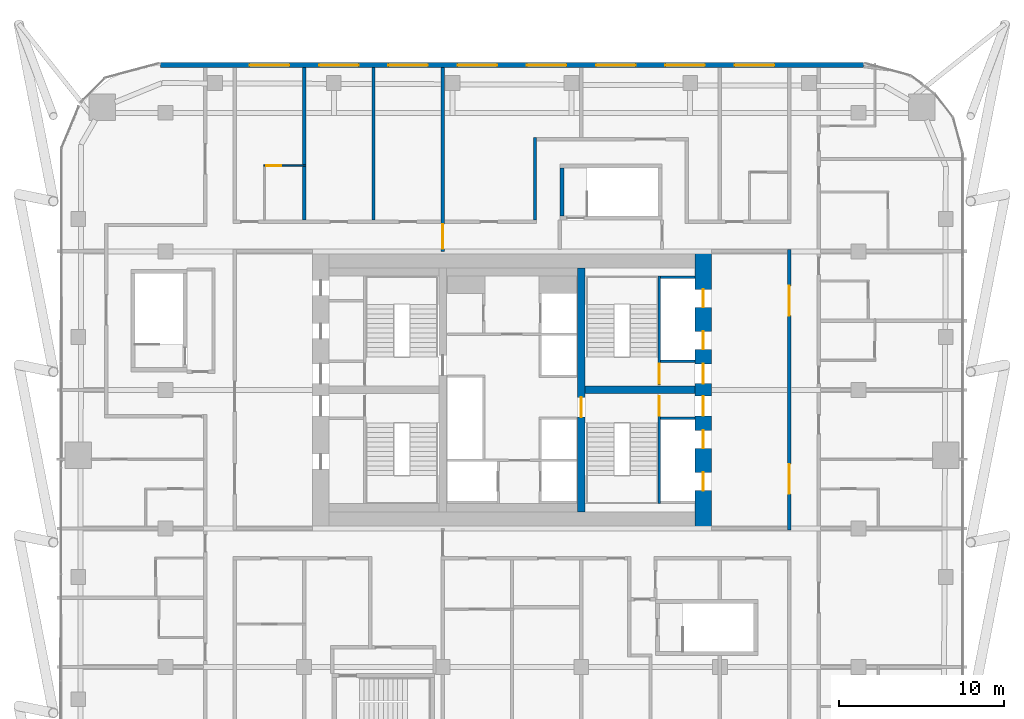
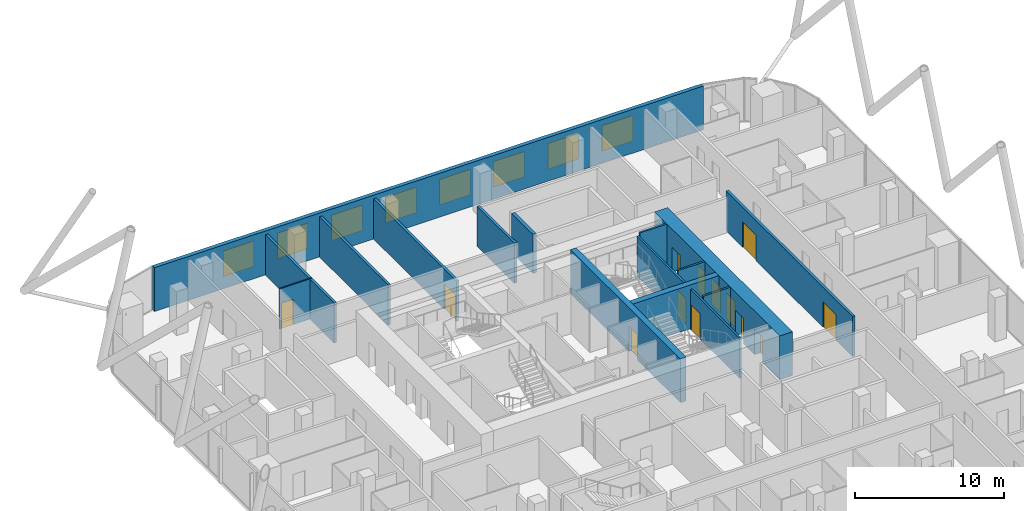
# One storey, part 31 of 34: 16 walls, 13 doors, 8 windows, 21 openings.
"""IFC4 building model written with IfcOpenShell, lengths in metres."""

from ifc_helpers import new_model, si_unit, direction, frame, frame_2d, origin, place, context, subcontext, project, spatial, rectangle, extrude, material, layer, layer_set, type_object, element, fill, save


model = new_model("IFC4")

# Units and contexts
model_context = context("Model", 3, precision=1e-05, world=origin(), true_north=direction((0.0, 1.0)))
body_context = subcontext(model_context, "Body", "Model", "MODEL_VIEW")
ifc_project = project(units=[si_unit("LENGTHUNIT", "METRE"), si_unit("AREAUNIT", "SQUARE_METRE"), si_unit("VOLUMEUNIT", "CUBIC_METRE"), si_unit("PLANEANGLEUNIT", "RADIAN"), si_unit("MASSUNIT", "GRAM", prefix="KILO")], contexts=[model_context])

# Site, building, storey
site_placement = place(None, origin())
site = spatial("IfcSite", under=ifc_project, at=site_placement, CompositionType="ELEMENT")
building_placement = place(site_placement, origin())
building = spatial("IfcBuilding", under=site, at=building_placement, Name="Marenta Gate Hotel Tower", CompositionType="ELEMENT")
storey_placement = place(building_placement, frame((0.0, 0.0, 166.10009765625)))
storey = spatial("IfcBuildingStorey", under=building, at=storey_placement, Name="L39", CompositionType="ELEMENT", Elevation=166.10009765625)

# Wall, openings, windows
ifc_material_1 = material(Name="Concrete C40 board-marked", Category="concrete")
ifc_layer_1 = layer(ifc_material_1, 0.300048828125)
ifc_layer_set_1 = layer_set([ifc_layer_1], Name="Concrete C40 board-marked")
wall_type_1 = type_object("IfcWallType", Name="Board-marked concrete wall 300 mm", PredefinedType="NOTDEFINED", material=ifc_layer_set_1)
wall_1_placement = place(storey_placement, frame((21.305908203125, 28.090087890625, 0.0), z_axis=(0.0, 0.0, 1.0), x_axis=(-1.0, 0.0, 0.0)))
wall_1 = element("IfcWall", 1, at=wall_1_placement, inside=storey, type_object=wall_type_1, Name="L39-CLD-N00", PredefinedType="NOTDEFINED", context=body_context, shape_type="SweptSolid", body=[
    extrude(rectangle(XDim=42.61181640625, YDim=0.300048828125, at=frame_2d((21.305908203125, 0.0))), origin(), (0.0, 0.0, 1.0), 3.599853515625),
])
opening_1_placement = place(wall_1_placement, frame((5.406005859375, 0.0, 0.89990234375)))
opening_1 = element("IfcOpeningElement", 2, at=opening_1_placement, cuts=wall_1, Name="Opening W1", PredefinedType="OPENING", context=body_context, shape_type="SweptSolid", body=[
    extrude(rectangle(XDim=2.39990234375, YDim=2.10009765625, at=frame_2d((1.199951171875, 1.050048828125))), frame((0.0, 0.14990234375, 0.0), z_axis=(0.0, -1.0, 0.0), x_axis=(1.0, 0.0, 0.0)), (0.0, 0.0, 1.0), 0.300048828125),
])
opening_2_placement = place(wall_1_placement, frame((9.60595703125, 0.0, 0.89990234375)))
opening_2 = element("IfcOpeningElement", 3, at=opening_2_placement, cuts=wall_1, Name="Opening W1", PredefinedType="OPENING", context=body_context, shape_type="SweptSolid", body=[
    extrude(rectangle(XDim=2.39990234375, YDim=2.10009765625, at=frame_2d((1.199951171875, 1.050048828125))), frame((0.0, 0.14990234375, 0.0), z_axis=(0.0, -1.0, 0.0), x_axis=(1.0, 0.0, 0.0)), (0.0, 0.0, 1.0), 0.300048828125),
])
opening_3_placement = place(wall_1_placement, frame((13.805908203125, 0.0, 0.89990234375)))
opening_3 = element("IfcOpeningElement", 4, at=opening_3_placement, cuts=wall_1, Name="Opening W1", PredefinedType="OPENING", context=body_context, shape_type="SweptSolid", body=[
    extrude(rectangle(XDim=2.39990234375, YDim=2.10009765625, at=frame_2d((1.199951171875, 1.050048828125))), frame((0.0, 0.14990234375, 0.0), z_axis=(0.0, -1.0, 0.0), x_axis=(1.0, 0.0, 0.0)), (0.0, 0.0, 1.0), 0.300048828125),
])
opening_4_placement = place(wall_1_placement, frame((18.005859375, 0.0, 0.89990234375)))
opening_4 = element("IfcOpeningElement", 5, at=opening_4_placement, cuts=wall_1, Name="Opening W1", PredefinedType="OPENING", context=body_context, shape_type="SweptSolid", body=[
    extrude(rectangle(XDim=2.39990234375, YDim=2.10009765625, at=frame_2d((1.199951171875, 1.050048828125))), frame((0.0, 0.14990234375, 0.0), z_axis=(0.0, -1.0, 0.0), x_axis=(1.0, 0.0, 0.0)), (0.0, 0.0, 1.0), 0.300048828125),
])
opening_5_placement = place(wall_1_placement, frame((22.205810546875, 0.0, 0.89990234375)))
opening_5 = element("IfcOpeningElement", 6, at=opening_5_placement, cuts=wall_1, Name="Opening W1", PredefinedType="OPENING", context=body_context, shape_type="SweptSolid", body=[
    extrude(rectangle(XDim=2.39990234375, YDim=2.10009765625, at=frame_2d((1.199951171875, 1.050048828125))), frame((0.0, 0.14990234375, 0.0), z_axis=(0.0, -1.0, 0.0), x_axis=(1.0, 0.0, 0.0)), (0.0, 0.0, 1.0), 0.300048828125),
])
opening_6_placement = place(wall_1_placement, frame((26.406005859375, 0.0, 0.89990234375)))
opening_6 = element("IfcOpeningElement", 7, at=opening_6_placement, cuts=wall_1, Name="Opening W1", PredefinedType="OPENING", context=body_context, shape_type="SweptSolid", body=[
    extrude(rectangle(XDim=2.39990234375, YDim=2.10009765625, at=frame_2d((1.199951171875, 1.050048828125))), frame((0.0, 0.14990234375, 0.0), z_axis=(0.0, -1.0, 0.0), x_axis=(1.0, 0.0, 0.0)), (0.0, 0.0, 1.0), 0.300048828125),
])
opening_7_placement = place(wall_1_placement, frame((30.60595703125, 0.0, 0.89990234375)))
opening_7 = element("IfcOpeningElement", 8, at=opening_7_placement, cuts=wall_1, Name="Opening W1", PredefinedType="OPENING", context=body_context, shape_type="SweptSolid", body=[
    extrude(rectangle(XDim=2.39990234375, YDim=2.10009765625, at=frame_2d((1.199951171875, 1.050048828125))), frame((0.0, 0.14990234375, 0.0), z_axis=(0.0, -1.0, 0.0), x_axis=(1.0, 0.0, 0.0)), (0.0, 0.0, 1.0), 0.300048828125),
])
opening_8_placement = place(wall_1_placement, frame((34.805908203125, 0.0, 0.89990234375)))
opening_8 = element("IfcOpeningElement", 9, at=opening_8_placement, cuts=wall_1, Name="Opening W1", PredefinedType="OPENING", context=body_context, shape_type="SweptSolid", body=[
    extrude(rectangle(XDim=2.39990234375, YDim=2.10009765625, at=frame_2d((1.199951171875, 1.050048828125))), frame((0.0, 0.14990234375, 0.0), z_axis=(0.0, -1.0, 0.0), x_axis=(1.0, 0.0, 0.0)), (0.0, 0.0, 1.0), 0.300048828125),
])
ifc_material_2 = material(Name="Tinted insulated glass in bronze anodised frame", Category="glass")
window_type = type_object("IfcWindowType", Name="Window W1 2400x2100 bronze frame", PartitioningType="SINGLE_PANEL", PredefinedType="WINDOW", material=ifc_material_2)
window_1_placement = place(opening_1_placement, origin())
window_1 = element("IfcWindow", 10, at=window_1_placement, inside=storey, type_object=window_type, Name="Window W1", OverallHeight=2.10009765625, OverallWidth=2.39990234375, PartitioningType="SINGLE_PANEL", PredefinedType="WINDOW", context=body_context, shape_type="SweptSolid", body=[
    extrude(rectangle(XDim=2.39990234375, YDim=2.10009765625, at=frame_2d((1.199951171875, 1.050048828125))), frame((0.0, 0.030029296875, 0.0), z_axis=(0.0, -1.0, 0.0), x_axis=(1.0, 0.0, 0.0)), (0.0, 0.0, 1.0), 0.06005859375),
])
fill(opening_1, window_1)
window_2_placement = place(opening_2_placement, origin())
window_2 = element("IfcWindow", 11, at=window_2_placement, inside=storey, type_object=window_type, Name="Window W1", OverallHeight=2.10009765625, OverallWidth=2.39990234375, PartitioningType="SINGLE_PANEL", PredefinedType="WINDOW", context=body_context, shape_type="SweptSolid", body=[
    extrude(rectangle(XDim=2.39990234375, YDim=2.10009765625, at=frame_2d((1.199951171875, 1.050048828125))), frame((0.0, 0.030029296875, 0.0), z_axis=(0.0, -1.0, 0.0), x_axis=(1.0, 0.0, 0.0)), (0.0, 0.0, 1.0), 0.06005859375),
])
fill(opening_2, window_2)
window_3_placement = place(opening_3_placement, origin())
window_3 = element("IfcWindow", 12, at=window_3_placement, inside=storey, type_object=window_type, Name="Window W1", OverallHeight=2.10009765625, OverallWidth=2.39990234375, PartitioningType="SINGLE_PANEL", PredefinedType="WINDOW", context=body_context, shape_type="SweptSolid", body=[
    extrude(rectangle(XDim=2.39990234375, YDim=2.10009765625, at=frame_2d((1.199951171875, 1.050048828125))), frame((0.0, 0.030029296875, 0.0), z_axis=(0.0, -1.0, 0.0), x_axis=(1.0, 0.0, 0.0)), (0.0, 0.0, 1.0), 0.06005859375),
])
fill(opening_3, window_3)
window_4_placement = place(opening_4_placement, origin())
window_4 = element("IfcWindow", 13, at=window_4_placement, inside=storey, type_object=window_type, Name="Window W1", OverallHeight=2.10009765625, OverallWidth=2.39990234375, PartitioningType="SINGLE_PANEL", PredefinedType="WINDOW", context=body_context, shape_type="SweptSolid", body=[
    extrude(rectangle(XDim=2.39990234375, YDim=2.10009765625, at=frame_2d((1.199951171875, 1.050048828125))), frame((0.0, 0.030029296875, 0.0), z_axis=(0.0, -1.0, 0.0), x_axis=(1.0, 0.0, 0.0)), (0.0, 0.0, 1.0), 0.06005859375),
])
fill(opening_4, window_4)
window_5_placement = place(opening_5_placement, origin())
window_5 = element("IfcWindow", 14, at=window_5_placement, inside=storey, type_object=window_type, Name="Window W1", OverallHeight=2.10009765625, OverallWidth=2.39990234375, PartitioningType="SINGLE_PANEL", PredefinedType="WINDOW", context=body_context, shape_type="SweptSolid", body=[
    extrude(rectangle(XDim=2.39990234375, YDim=2.10009765625, at=frame_2d((1.199951171875, 1.050048828125))), frame((0.0, 0.030029296875, 0.0), z_axis=(0.0, -1.0, 0.0), x_axis=(1.0, 0.0, 0.0)), (0.0, 0.0, 1.0), 0.06005859375),
])
fill(opening_5, window_5)
window_6_placement = place(opening_6_placement, origin())
window_6 = element("IfcWindow", 15, at=window_6_placement, inside=storey, type_object=window_type, Name="Window W1", OverallHeight=2.10009765625, OverallWidth=2.39990234375, PartitioningType="SINGLE_PANEL", PredefinedType="WINDOW", context=body_context, shape_type="SweptSolid", body=[
    extrude(rectangle(XDim=2.39990234375, YDim=2.10009765625, at=frame_2d((1.199951171875, 1.050048828125))), frame((0.0, 0.030029296875, 0.0), z_axis=(0.0, -1.0, 0.0), x_axis=(1.0, 0.0, 0.0)), (0.0, 0.0, 1.0), 0.06005859375),
])
fill(opening_6, window_6)
window_7_placement = place(opening_7_placement, origin())
window_7 = element("IfcWindow", 16, at=window_7_placement, inside=storey, type_object=window_type, Name="Window W1", OverallHeight=2.10009765625, OverallWidth=2.39990234375, PartitioningType="SINGLE_PANEL", PredefinedType="WINDOW", context=body_context, shape_type="SweptSolid", body=[
    extrude(rectangle(XDim=2.39990234375, YDim=2.10009765625, at=frame_2d((1.199951171875, 1.050048828125))), frame((0.0, 0.030029296875, 0.0), z_axis=(0.0, -1.0, 0.0), x_axis=(1.0, 0.0, 0.0)), (0.0, 0.0, 1.0), 0.06005859375),
])
fill(opening_7, window_7)
window_8_placement = place(opening_8_placement, origin())
window_8 = element("IfcWindow", 17, at=window_8_placement, inside=storey, type_object=window_type, Name="Window W1", OverallHeight=2.10009765625, OverallWidth=2.39990234375, PartitioningType="SINGLE_PANEL", PredefinedType="WINDOW", context=body_context, shape_type="SweptSolid", body=[
    extrude(rectangle(XDim=2.39990234375, YDim=2.10009765625, at=frame_2d((1.199951171875, 1.050048828125))), frame((0.0, 0.030029296875, 0.0), z_axis=(0.0, -1.0, 0.0), x_axis=(1.0, 0.0, 0.0)), (0.0, 0.0, 1.0), 0.06005859375),
])
fill(opening_8, window_8)

# Wall, opening, door
ifc_material_3 = material(Name="Concrete blockwork", Category="masonry")
ifc_layer_2 = layer(ifc_material_3, 0.199951171875)
ifc_layer_set_2 = layer_set([ifc_layer_2], Name="Concrete blockwork")
wall_type_2 = type_object("IfcWallType", Name="Compartment wall 200 REI 180", PredefinedType="PARTITIONING", material=ifc_layer_set_2)
wall_2_placement = place(storey_placement, frame((-4.199951171875, 16.800048828125, 0.0), z_axis=(0.0, 0.0, 1.0), x_axis=(0.0, 1.0, 0.0)))
wall_2 = element("IfcWall", 18, at=wall_2_placement, inside=storey, type_object=wall_type_2, Name="L39-PTN-W073", PredefinedType="PARTITIONING", context=body_context, shape_type="SweptSolid", body=[
    extrude(rectangle(XDim=11.139892578125, YDim=0.199951171875, at=frame_2d((5.56982421875, 0.0))), origin(), (0.0, 0.0, 1.0), 3.2998046875),
])
opening_9_placement = place(wall_2_placement, frame((0.14990234375, 0.0, 0.0)))
opening_9 = element("IfcOpeningElement", 19, at=opening_9_placement, cuts=wall_2, Name="Opening G14-FD1", PredefinedType="OPENING", context=body_context, shape_type="SweptSolid", body=[
    extrude(rectangle(XDim=1.5, YDim=2.10009765625, at=frame_2d((0.75, 1.050048828125))), frame((0.0, 0.10009765625, 0.0), z_axis=(0.0, -1.0, 0.0), x_axis=(1.0, 0.0, 0.0)), (0.0, 0.0, 1.0), 0.199951171875),
])
ifc_material_4 = material(Name="Hollow steel door set", Category="steel")
door_type_1 = type_object("IfcDoorType", Name="Compartment fire door 1500x2100 EI 60", OperationType="DOUBLE_DOOR_DOUBLE_SWING", PredefinedType="DOOR", material=ifc_material_4)
door_1_placement = place(opening_9_placement, origin())
door_1 = element("IfcDoor", 20, at=door_1_placement, inside=storey, type_object=door_type_1, Name="L39-PD-FD01", OperationType="DOUBLE_DOOR_DOUBLE_SWING", OverallHeight=2.10009765625, OverallWidth=1.5, PredefinedType="DOOR", context=body_context, shape_type="SweptSolid", body=[
    extrude(rectangle(XDim=1.5, YDim=2.10009765625, at=frame_2d((0.75, 1.050048828125))), frame((0.0, 0.02490234375, 0.0), z_axis=(0.0, -1.0, 0.0), x_axis=(1.0, 0.0, 0.0)), (0.0, 0.0, 1.0), 0.050048828125),
])
fill(opening_9, door_1)

# Wall, openings, doors
ifc_material_5 = material(Name="Concrete blockwork", Category="masonry")
ifc_layer_3 = layer(ifc_material_5, 0.199951171875)
ifc_layer_set_3 = layer_set([ifc_layer_3], Name="Concrete blockwork")
wall_type_3 = type_object("IfcWallType", Name="Core boundary wall 200 REI 180", PredefinedType="PARTITIONING", material=ifc_layer_set_3)
wall_3_placement = place(storey_placement, frame((16.800048828125, -0.10009765625, 0.0), z_axis=(0.0, 0.0, 1.0), x_axis=(0.0, 1.0, 0.0)))
wall_3 = element("IfcWall", 21, at=wall_3_placement, inside=storey, type_object=wall_type_3, Name="L39-CP-BW-E", PredefinedType="PARTITIONING", context=body_context, shape_type="SweptSolid", body=[
    extrude(rectangle(XDim=17.0, YDim=0.199951171875, at=frame_2d((8.5, 0.0))), origin(), (0.0, 0.0, 1.0), 3.2998046875),
])
opening_10_placement = place(wall_3_placement, frame((2.199951171875, 0.0, 0.0)))
opening_10 = element("IfcOpeningElement", 22, at=opening_10_placement, cuts=wall_3, Name="Opening ED-Ea-B", PredefinedType="OPENING", context=body_context, shape_type="SweptSolid", body=[
    extrude(rectangle(XDim=1.800048828125, YDim=2.10009765625, at=frame_2d((0.89990234375, 1.050048828125))), frame((0.0, 0.10009765625, 0.0), z_axis=(0.0, -1.0, 0.0), x_axis=(1.0, 0.0, 0.0)), (0.0, 0.0, 1.0), 0.199951171875),
])
opening_11_placement = place(wall_3_placement, frame((13.0, 0.0, 0.0)))
opening_11 = element("IfcOpeningElement", 23, at=opening_11_placement, cuts=wall_3, Name="Opening ED-Eb-B", PredefinedType="OPENING", context=body_context, shape_type="SweptSolid", body=[
    extrude(rectangle(XDim=1.800048828125, YDim=2.10009765625, at=frame_2d((0.89990234375, 1.050048828125))), frame((0.0, 0.10009765625, 0.0), z_axis=(0.0, -1.0, 0.0), x_axis=(1.0, 0.0, 0.0)), (0.0, 0.0, 1.0), 0.199951171875),
])
ifc_material_6 = material(Name="Steel", Category="steel")
door_type_2 = type_object("IfcDoorType", Name="Core lobby entrance door 1800x2100 EI 60", OperationType="DOUBLE_DOOR_SINGLE_SWING", PredefinedType="DOOR", material=ifc_material_6)
door_2_placement = place(opening_10_placement, origin())
door_2 = element("IfcDoor", 24, at=door_2_placement, inside=storey, type_object=door_type_2, Name="ED-Ea-B", OperationType="DOUBLE_DOOR_SINGLE_SWING", OverallHeight=2.10009765625, OverallWidth=1.800048828125, PredefinedType="DOOR", context=body_context, shape_type="SweptSolid", body=[
    extrude(rectangle(XDim=1.800048828125, YDim=2.10009765625, at=frame_2d((0.89990234375, 1.050048828125))), frame((0.0, 0.02490234375, 0.0), z_axis=(0.0, -1.0, 0.0), x_axis=(1.0, 0.0, 0.0)), (0.0, 0.0, 1.0), 0.050048828125),
])
fill(opening_10, door_2)
door_3_placement = place(opening_11_placement, origin())
door_3 = element("IfcDoor", 25, at=door_3_placement, inside=storey, type_object=door_type_2, Name="ED-Eb-B", OperationType="DOUBLE_DOOR_SINGLE_SWING", OverallHeight=2.10009765625, OverallWidth=1.800048828125, PredefinedType="DOOR", context=body_context, shape_type="SweptSolid", body=[
    extrude(rectangle(XDim=1.800048828125, YDim=2.10009765625, at=frame_2d((0.89990234375, 1.050048828125))), frame((0.0, 0.02490234375, 0.0), z_axis=(0.0, -1.0, 0.0), x_axis=(1.0, 0.0, 0.0)), (0.0, 0.0, 1.0), 0.050048828125),
])
fill(opening_11, door_3)

# Walls
ifc_material_7 = material(Name="Concrete C40", Category="concrete")
ifc_layer_4 = layer(ifc_material_7, 0.14990234375)
ifc_layer_set_4 = layer_set([ifc_layer_4], Name="Concrete C40")
wall_type_4 = type_object("IfcWallType", Name="Core shaft wall 150 REI 180", PredefinedType="SHEAR", material=ifc_layer_set_4)
for number, where, z_axis, x_axis, name in (
    (26, (9.0, 6.675048828125, 0.0), (0.0, 0.0, 1.0), (1.0, 0.0, 0.0), "L39-SHF-SW-ES-2"),
    (27, (9.0, 10.125, 0.0), (0.0, 0.0, 1.0), (1.0, 0.0, 0.0), "L39-SHF-SW-EN-2"),
    (28, (9.0, 15.22509765625, 0.0), (0.0, 0.0, 1.0), (1.0, 0.0, 0.0), "L39-SHF-SW-EN-5"),
):
    element("IfcWall", number, at=place(storey_placement, frame(where, z_axis=z_axis, x_axis=x_axis)), inside=storey, type_object=wall_type_4, Name=name, PredefinedType="SHEAR", context=body_context, shape_type="SweptSolid", body=[
        extrude(rectangle(XDim=2.10009765625, YDim=0.14990234375, at=frame_2d((1.050048828125, 0.0))), origin(), (0.0, 0.0, 1.0), 3.599853515625),
    ])

# Wall, opening, door
ifc_material_8 = material(Name="Concrete C40", Category="concrete")
ifc_layer_5 = layer(ifc_material_8, 0.14990234375)
ifc_layer_set_5 = layer_set([ifc_layer_5], Name="Concrete C40")
wall_type_5 = type_object("IfcWallType", Name="Core stair enclosure wall 150 REI 180", PredefinedType="SHEAR", material=ifc_layer_set_5)
wall_4_placement = place(storey_placement, frame((8.925048828125, 1.5, 0.0), z_axis=(0.0, 0.0, 1.0), x_axis=(0.0, 1.0, 0.0)))
wall_4 = element("IfcWall", 29, at=wall_4_placement, inside=storey, type_object=wall_type_5, Name="L39-SHF-SW-ES-3", PredefinedType="SHEAR", context=body_context, shape_type="SweptSolid", body=[
    extrude(rectangle(XDim=6.60009765625, YDim=0.14990234375, at=frame_2d((3.300048828125, 0.0))), origin(), (0.0, 0.0, 1.0), 3.2998046875),
])
opening_12_placement = place(wall_4_placement, frame((5.324951171875, 0.0, 0.0)))
opening_12 = element("IfcOpeningElement", 30, at=opening_12_placement, cuts=wall_4, Name="Opening SD-ES", PredefinedType="OPENING", context=body_context, shape_type="SweptSolid", body=[
    extrude(rectangle(XDim=1.199951171875, YDim=2.10009765625, at=frame_2d((0.60009765625, 1.050048828125))), frame((0.0, 0.074951171875, 0.0), z_axis=(0.0, -1.0, 0.0), x_axis=(1.0, 0.0, 0.0)), (0.0, 0.0, 1.0), 0.14990234375),
])
ifc_material_9 = material(Name="Steel", Category="steel")
door_type_3 = type_object("IfcDoorType", Name="Core stair door 1200x2100 FD60", OperationType="SINGLE_SWING_LEFT", PredefinedType="DOOR", material=ifc_material_9)
door_4_placement = place(opening_12_placement, origin())
door_4 = element("IfcDoor", 31, at=door_4_placement, inside=storey, type_object=door_type_3, Name="SD-ES", OperationType="SINGLE_SWING_LEFT", OverallHeight=2.10009765625, OverallWidth=1.199951171875, PredefinedType="DOOR", context=body_context, shape_type="SweptSolid", body=[
    extrude(rectangle(XDim=1.199951171875, YDim=2.10009765625, at=frame_2d((0.60009765625, 1.050048828125))), frame((0.0, 0.02490234375, 0.0), z_axis=(0.0, -1.0, 0.0), x_axis=(1.0, 0.0, 0.0)), (0.0, 0.0, 1.0), 0.050048828125),
])
fill(opening_12, door_4)

wall_5_placement = place(storey_placement, frame((8.925048828125, 8.699951171875, 0.0), z_axis=(0.0, 0.0, 1.0), x_axis=(0.0, 1.0, 0.0)))
wall_5 = element("IfcWall", 32, at=wall_5_placement, inside=storey, type_object=wall_type_5, Name="L39-SHF-SW-EN-3", PredefinedType="SHEAR", context=body_context, shape_type="SweptSolid", body=[
    extrude(rectangle(XDim=6.60009765625, YDim=0.14990234375, at=frame_2d((3.300048828125, 0.0))), origin(), (0.0, 0.0, 1.0), 3.2998046875),
])
opening_13_placement = place(wall_5_placement, frame((0.074951171875, 0.0, 0.0)))
opening_13 = element("IfcOpeningElement", 33, at=opening_13_placement, cuts=wall_5, Name="Opening SD-EN", PredefinedType="OPENING", context=body_context, shape_type="SweptSolid", body=[
    extrude(rectangle(XDim=1.199951171875, YDim=2.10009765625, at=frame_2d((0.60009765625, 1.050048828125))), frame((0.0, 0.074951171875, 0.0), z_axis=(0.0, -1.0, 0.0), x_axis=(1.0, 0.0, 0.0)), (0.0, 0.0, 1.0), 0.14990234375),
])
door_5_placement = place(opening_13_placement, origin())
door_5 = element("IfcDoor", 34, at=door_5_placement, inside=storey, type_object=door_type_3, Name="SD-EN", OperationType="SINGLE_SWING_LEFT", OverallHeight=2.10009765625, OverallWidth=1.199951171875, PredefinedType="DOOR", context=body_context, shape_type="SweptSolid", body=[
    extrude(rectangle(XDim=1.199951171875, YDim=2.10009765625, at=frame_2d((0.60009765625, 1.050048828125))), frame((0.0, 0.02490234375, 0.0), z_axis=(0.0, -1.0, 0.0), x_axis=(1.0, 0.0, 0.0)), (0.0, 0.0, 1.0), 0.050048828125),
])
fill(opening_13, door_5)

# Wall, openings, doors
ifc_material_10 = material(Name="Concrete C70", Category="concrete")
ifc_layer_6 = layer(ifc_material_10, 1.0)
ifc_layer_set_6 = layer_set([ifc_layer_6], Name="Concrete C70")
wall_type_6 = type_object("IfcWallType", Name="Core wall 1000 C70", PredefinedType="SHEAR", material=ifc_layer_set_6)
wall_6_placement = place(storey_placement, frame((11.60009765625, 0.0, 0.0), z_axis=(0.0, 0.0, 1.0), x_axis=(0.0, 1.0, 0.0)))
wall_6 = element("IfcWall", 35, at=wall_6_placement, inside=storey, type_object=wall_type_6, Name="L39-CORE-E", PredefinedType="SHEAR", context=body_context, shape_type="SweptSolid", body=[
    extrude(rectangle(XDim=16.800048828125, YDim=1.0, at=frame_2d((8.39990234375, 0.0))), origin(), (0.0, 0.0, 1.0), 3.599853515625),
])
opening_14_placement = place(wall_6_placement, frame((2.300048828125, 0.0, 0.0)))
opening_14 = element("IfcOpeningElement", 36, at=opening_14_placement, cuts=wall_6, Name="Opening LD-HR1", PredefinedType="OPENING", context=body_context, shape_type="SweptSolid", body=[
    extrude(rectangle(XDim=1.10009765625, YDim=2.10009765625, at=frame_2d((0.550048828125, 1.050048828125))), frame((0.0, 0.5, 0.0), z_axis=(0.0, -1.0, 0.0), x_axis=(1.0, 0.0, 0.0)), (0.0, 0.0, 1.0), 1.0),
])
opening_15_placement = place(wall_6_placement, frame((4.85009765625, 0.0, 0.0)))
opening_15 = element("IfcOpeningElement", 37, at=opening_15_placement, cuts=wall_6, Name="Opening LD-HR2", PredefinedType="OPENING", context=body_context, shape_type="SweptSolid", body=[
    extrude(rectangle(XDim=1.10009765625, YDim=2.10009765625, at=frame_2d((0.550048828125, 1.050048828125))), frame((0.0, 0.5, 0.0), z_axis=(0.0, -1.0, 0.0), x_axis=(1.0, 0.0, 0.0)), (0.0, 0.0, 1.0), 1.0),
])
opening_16_placement = place(wall_6_placement, frame((6.824951171875, 0.0, 0.0)))
opening_16 = element("IfcOpeningElement", 38, at=opening_16_placement, cuts=wall_6, Name="Opening PD-ES", PredefinedType="OPENING", context=body_context, shape_type="SweptSolid", body=[
    extrude(rectangle(XDim=1.199951171875, YDim=2.10009765625, at=frame_2d((0.60009765625, 1.050048828125))), frame((0.0, 0.5, 0.0), z_axis=(0.0, -1.0, 0.0), x_axis=(1.0, 0.0, 0.0)), (0.0, 0.0, 1.0), 1.0),
])
opening_17_placement = place(wall_6_placement, frame((13.39990234375, 0.0, 0.0)))
opening_17 = element("IfcOpeningElement", 39, at=opening_17_placement, cuts=wall_6, Name="Opening LD-HR4", PredefinedType="OPENING", context=body_context, shape_type="SweptSolid", body=[
    extrude(rectangle(XDim=1.10009765625, YDim=2.10009765625, at=frame_2d((0.550048828125, 1.050048828125))), frame((0.0, 0.5, 0.0), z_axis=(0.0, -1.0, 0.0), x_axis=(1.0, 0.0, 0.0)), (0.0, 0.0, 1.0), 1.0),
])
opening_18_placement = place(wall_6_placement, frame((10.85009765625, 0.0, 0.0)))
opening_18 = element("IfcOpeningElement", 40, at=opening_18_placement, cuts=wall_6, Name="Opening LD-HR3", PredefinedType="OPENING", context=body_context, shape_type="SweptSolid", body=[
    extrude(rectangle(XDim=1.10009765625, YDim=2.10009765625, at=frame_2d((0.550048828125, 1.050048828125))), frame((0.0, 0.5, 0.0), z_axis=(0.0, -1.0, 0.0), x_axis=(1.0, 0.0, 0.0)), (0.0, 0.0, 1.0), 1.0),
])
opening_19_placement = place(wall_6_placement, frame((8.77490234375, 0.0, 0.0)))
opening_19 = element("IfcOpeningElement", 41, at=opening_19_placement, cuts=wall_6, Name="Opening PD-EN", PredefinedType="OPENING", context=body_context, shape_type="SweptSolid", body=[
    extrude(rectangle(XDim=1.199951171875, YDim=2.10009765625, at=frame_2d((0.60009765625, 1.050048828125))), frame((0.0, 0.5, 0.0), z_axis=(0.0, -1.0, 0.0), x_axis=(1.0, 0.0, 0.0)), (0.0, 0.0, 1.0), 1.0),
])
ifc_material_11 = material(Name="Steel", Category="steel")
door_type_4 = type_object("IfcDoorType", Name="Core lift landing door 1100x2100 E 60", OperationType="SLIDING_TO_LEFT", PredefinedType="DOOR", material=ifc_material_11)
door_6_placement = place(opening_14_placement, origin())
door_6 = element("IfcDoor", 42, at=door_6_placement, inside=storey, type_object=door_type_4, Name="LD-HR1", OperationType="SLIDING_TO_LEFT", OverallHeight=2.10009765625, OverallWidth=1.10009765625, PredefinedType="DOOR", context=body_context, shape_type="SweptSolid", body=[
    extrude(rectangle(XDim=1.10009765625, YDim=2.10009765625, at=frame_2d((0.550048828125, 1.050048828125))), frame((0.0, 0.02490234375, 0.0), z_axis=(0.0, -1.0, 0.0), x_axis=(1.0, 0.0, 0.0)), (0.0, 0.0, 1.0), 0.050048828125),
])
fill(opening_14, door_6)
door_7_placement = place(opening_15_placement, origin())
door_7 = element("IfcDoor", 43, at=door_7_placement, inside=storey, type_object=door_type_4, Name="LD-HR2", OperationType="SLIDING_TO_LEFT", OverallHeight=2.10009765625, OverallWidth=1.10009765625, PredefinedType="DOOR", context=body_context, shape_type="SweptSolid", body=[
    extrude(rectangle(XDim=1.10009765625, YDim=2.10009765625, at=frame_2d((0.550048828125, 1.050048828125))), frame((0.0, 0.02490234375, 0.0), z_axis=(0.0, -1.0, 0.0), x_axis=(1.0, 0.0, 0.0)), (0.0, 0.0, 1.0), 0.050048828125),
])
fill(opening_15, door_7)
door_8_placement = place(opening_17_placement, origin())
door_8 = element("IfcDoor", 44, at=door_8_placement, inside=storey, type_object=door_type_4, Name="LD-HR4", OperationType="SLIDING_TO_LEFT", OverallHeight=2.10009765625, OverallWidth=1.10009765625, PredefinedType="DOOR", context=body_context, shape_type="SweptSolid", body=[
    extrude(rectangle(XDim=1.10009765625, YDim=2.10009765625, at=frame_2d((0.550048828125, 1.050048828125))), frame((0.0, 0.02490234375, 0.0), z_axis=(0.0, -1.0, 0.0), x_axis=(1.0, 0.0, 0.0)), (0.0, 0.0, 1.0), 0.050048828125),
])
fill(opening_17, door_8)
door_9_placement = place(opening_18_placement, origin())
door_9 = element("IfcDoor", 45, at=door_9_placement, inside=storey, type_object=door_type_4, Name="LD-HR3", OperationType="SLIDING_TO_LEFT", OverallHeight=2.10009765625, OverallWidth=1.10009765625, PredefinedType="DOOR", context=body_context, shape_type="SweptSolid", body=[
    extrude(rectangle(XDim=1.10009765625, YDim=2.10009765625, at=frame_2d((0.550048828125, 1.050048828125))), frame((0.0, 0.02490234375, 0.0), z_axis=(0.0, -1.0, 0.0), x_axis=(1.0, 0.0, 0.0)), (0.0, 0.0, 1.0), 0.050048828125),
])
fill(opening_18, door_9)
ifc_material_12 = material(Name="Steel", Category="steel")
door_type_5 = type_object("IfcDoorType", Name="Core lobby door 1200x2100 FD60", OperationType="SINGLE_SWING_LEFT", PredefinedType="DOOR", material=ifc_material_12)
door_10_placement = place(opening_16_placement, origin())
door_10 = element("IfcDoor", 46, at=door_10_placement, inside=storey, type_object=door_type_5, Name="PD-ES", OperationType="SINGLE_SWING_LEFT", OverallHeight=2.10009765625, OverallWidth=1.199951171875, PredefinedType="DOOR", context=body_context, shape_type="SweptSolid", body=[
    extrude(rectangle(XDim=1.199951171875, YDim=2.10009765625, at=frame_2d((0.60009765625, 1.050048828125))), frame((0.0, 0.02490234375, 0.0), z_axis=(0.0, -1.0, 0.0), x_axis=(1.0, 0.0, 0.0)), (0.0, 0.0, 1.0), 0.050048828125),
])
fill(opening_16, door_10)
door_11_placement = place(opening_19_placement, origin())
door_11 = element("IfcDoor", 47, at=door_11_placement, inside=storey, type_object=door_type_5, Name="PD-EN", OperationType="SINGLE_SWING_LEFT", OverallHeight=2.10009765625, OverallWidth=1.199951171875, PredefinedType="DOOR", context=body_context, shape_type="SweptSolid", body=[
    extrude(rectangle(XDim=1.199951171875, YDim=2.10009765625, at=frame_2d((0.60009765625, 1.050048828125))), frame((0.0, 0.02490234375, 0.0), z_axis=(0.0, -1.0, 0.0), x_axis=(1.0, 0.0, 0.0)), (0.0, 0.0, 1.0), 0.050048828125),
])
fill(opening_19, door_11)

# Wall, opening, door
ifc_material_13 = material(Name="Concrete C70", Category="concrete")
ifc_layer_7 = layer(ifc_material_13, 0.449951171875)
ifc_layer_set_7 = layer_set([ifc_layer_7], Name="Concrete C70")
wall_type_7 = type_object("IfcWallType", Name="Core web 450 C70", PredefinedType="SHEAR", material=ifc_layer_set_7)
wall_7_placement = place(storey_placement, frame((4.199951171875, 1.0, 0.0), z_axis=(0.0, 0.0, 1.0), x_axis=(0.0, 1.0, 0.0)))
wall_7 = element("IfcWall", 48, at=wall_7_placement, inside=storey, type_object=wall_type_7, Name="L39-CORE-W2", PredefinedType="SHEAR", context=body_context, shape_type="SweptSolid", body=[
    extrude(rectangle(XDim=14.800048828125, YDim=0.449951171875, at=frame_2d((7.39990234375, 0.0))), origin(), (0.0, 0.0, 1.0), 3.599853515625),
])
opening_20_placement = place(wall_7_placement, frame((5.75, 0.0, 0.0)))
opening_20 = element("IfcOpeningElement", 49, at=opening_20_placement, cuts=wall_7, Name="Opening WD-E", PredefinedType="OPENING", context=body_context, shape_type="SweptSolid", body=[
    extrude(rectangle(XDim=1.199951171875, YDim=2.10009765625, at=frame_2d((0.60009765625, 1.050048828125))), frame((0.0, 0.22509765625, 0.0), z_axis=(0.0, -1.0, 0.0), x_axis=(1.0, 0.0, 0.0)), (0.0, 0.0, 1.0), 0.449951171875),
])
door_12_placement = place(opening_20_placement, origin())
door_12 = element("IfcDoor", 50, at=door_12_placement, inside=storey, type_object=door_type_3, Name="WD-E", OperationType="SINGLE_SWING_LEFT", OverallHeight=2.10009765625, OverallWidth=1.199951171875, PredefinedType="DOOR", context=body_context, shape_type="SweptSolid", body=[
    extrude(rectangle(XDim=1.199951171875, YDim=2.10009765625, at=frame_2d((0.60009765625, 1.050048828125))), frame((0.0, 0.02490234375, 0.0), z_axis=(0.0, -1.0, 0.0), x_axis=(1.0, 0.0, 0.0)), (0.0, 0.0, 1.0), 0.050048828125),
])
fill(opening_20, door_12)

# Walls
wall_8_placement = place(storey_placement, frame((4.425048828125, 8.39990234375, 0.0), z_axis=(0.0, 0.0, 1.0), x_axis=(1.0, 0.0, 0.0)))
element("IfcWall", 51, at=wall_8_placement, inside=storey, type_object=wall_type_7, Name="L39-CORE-W4", PredefinedType="SHEAR", context=body_context, shape_type="SweptSolid", body=[
    extrude(rectangle(XDim=6.675048828125, YDim=0.449951171875, at=frame_2d((3.33740234375, 0.0))), origin(), (0.0, 0.0, 1.0), 3.599853515625),
])
ifc_material_14 = material(Name="Concrete C40", Category="concrete")
ifc_layer_8 = layer(ifc_material_14, 0.25)
ifc_layer_set_8 = layer_set([ifc_layer_8], Name="Concrete C40")
wall_type_8 = type_object("IfcWallType", Name="Remote stair enclosure wall 250 REI 180", PredefinedType="SHEAR", material=ifc_layer_set_8)
wall_9_placement = place(storey_placement, frame((3.02490234375, 18.949951171875, 0.099853515625), z_axis=(0.0, 0.0, 1.0), x_axis=(0.0, 1.0, 0.0)))
element("IfcWall", 52, at=wall_9_placement, inside=storey, type_object=wall_type_8, Name="L39-RS-Z2-4-W3", PredefinedType="SHEAR", context=body_context, shape_type="SweptSolid", body=[
    extrude(rectangle(XDim=2.900146484375, YDim=0.25, at=frame_2d((1.4501953125, 0.0))), origin(), (0.0, 0.0, 1.0), 3.199951171875),
])
ifc_material_15 = material(Name="Gypsum board on steel stud", Category="steel")
ifc_layer_9 = layer(ifc_material_15, 0.199951171875)
ifc_layer_set_9 = layer_set([ifc_layer_9], Name="Gypsum board on steel stud")
wall_type_9 = type_object("IfcWallType", Name="Room corridor wall 200 EI 60", PredefinedType="PARTITIONING", material=ifc_layer_set_9)
wall_10_placement = place(storey_placement, frame((1.39990234375, 18.699951171875, 0.0), z_axis=(0.0, 0.0, 1.0), x_axis=(0.0, 1.0, 0.0)))
element("IfcWall", 53, at=wall_10_placement, inside=storey, type_object=wall_type_9, Name="L39-PTN-W064", PredefinedType="PARTITIONING", context=body_context, shape_type="SweptSolid", body=[
    extrude(rectangle(XDim=5.0, YDim=0.199951171875, at=frame_2d((2.5, 0.0))), origin(), (0.0, 0.0, 1.0), 3.2998046875),
])

# Wall, opening, door
ifc_material_16 = material(Name="Gypsum board on steel stud", Category="steel")
ifc_layer_10 = layer(ifc_material_16, 0.10009765625)
ifc_layer_set_10 = layer_set([ifc_layer_10], Name="Gypsum board on steel stud")
wall_type_10 = type_object("IfcWallType", Name="Room partition 100", PredefinedType="PARTITIONING", material=ifc_layer_set_10)
wall_11_placement = place(storey_placement, frame((-15.050048828125, 22.0, 0.0), z_axis=(0.0, 0.0, 1.0), x_axis=(1.0, 0.0, 0.0)))
wall_11 = element("IfcWall", 54, at=wall_11_placement, inside=storey, type_object=wall_type_10, Name="L39-PTN-W111", PredefinedType="PARTITIONING", context=body_context, shape_type="SweptSolid", body=[
    extrude(rectangle(XDim=2.550048828125, YDim=0.10009765625, at=frame_2d((1.27490234375, 0.0))), origin(), (0.0, 0.0, 1.0), 3.2998046875),
])
opening_21_placement = place(wall_11_placement, frame((0.14990234375, 0.0, 0.0)))
opening_21 = element("IfcOpeningElement", 55, at=opening_21_placement, cuts=wall_11, Name="Opening G14-26", PredefinedType="OPENING", context=body_context, shape_type="SweptSolid", body=[
    extrude(rectangle(XDim=0.89990234375, YDim=2.10009765625, at=frame_2d((0.449951171875, 1.050048828125))), frame((0.0, 0.050048828125, 0.0), z_axis=(0.0, -1.0, 0.0), x_axis=(1.0, 0.0, 0.0)), (0.0, 0.0, 1.0), 0.10009765625),
])
ifc_material_17 = material(Name="Timber door leaf", Category="wood")
door_type_6 = type_object("IfcDoorType", Name="Guest bathroom door 900x2100", OperationType="NOTDEFINED", PredefinedType="DOOR", material=ifc_material_17)
door_13_placement = place(opening_21_placement, origin())
door_13 = element("IfcDoor", 56, at=door_13_placement, inside=storey, type_object=door_type_6, Name="L39-PD-D026", OperationType="SINGLE_SWING_RIGHT", OverallHeight=2.10009765625, OverallWidth=0.89990234375, PredefinedType="DOOR", context=body_context, shape_type="SweptSolid", body=[
    extrude(rectangle(XDim=0.89990234375, YDim=2.10009765625, at=frame_2d((0.449951171875, 1.050048828125))), frame((0.0, 0.02490234375, 0.0), z_axis=(0.0, -1.0, 0.0), x_axis=(1.0, 0.0, 0.0)), (0.0, 0.0, 1.0), 0.050048828125),
])
fill(opening_21, door_13)

# Walls
ifc_material_18 = material(Name="Gypsum board on steel stud", Category="steel")
ifc_layer_11 = layer(ifc_material_18, 0.199951171875)
ifc_layer_set_11 = layer_set([ifc_layer_11], Name="Gypsum board on steel stud")
wall_type_11 = type_object("IfcWallType", Name="Room party wall 200 EI 60", PredefinedType="PARTITIONING", material=ifc_layer_set_11)
for number, where, z_axis, x_axis, name in (
    (57, (-8.39990234375, 18.699951171875, 0.0), (0.0, 0.0, 1.0), (0.0, 1.0, 0.0), "L39-PTN-W081"),
    (58, (-12.60009765625, 18.699951171875, 0.0), (0.0, 0.0, 1.0), (0.0, 1.0, 0.0), "L39-PTN-W090"),
):
    element("IfcWall", number, at=place(storey_placement, frame(where, z_axis=z_axis, x_axis=x_axis)), inside=storey, type_object=wall_type_11, Name=name, PredefinedType="PARTITIONING", context=body_context, shape_type="SweptSolid", body=[
        extrude(rectangle(XDim=9.239990234375, YDim=0.199951171875, at=frame_2d((4.6201171875, 0.0))), origin(), (0.0, 0.0, 1.0), 3.2998046875),
    ])

save(model, "model.ifc")
